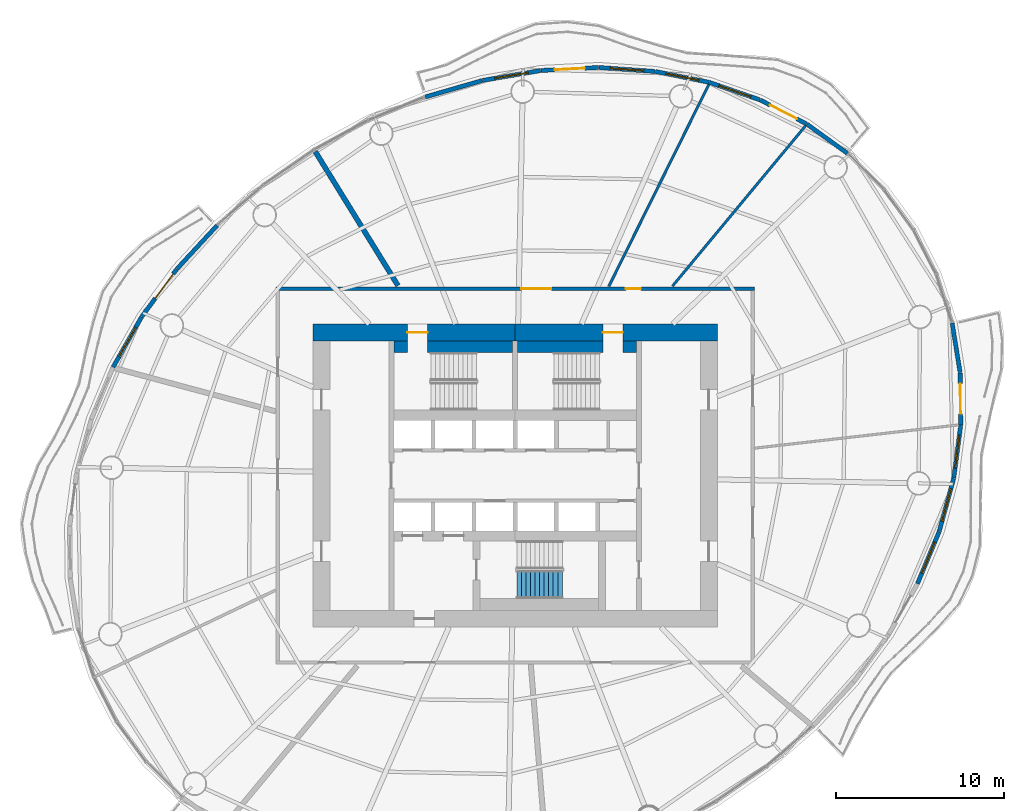
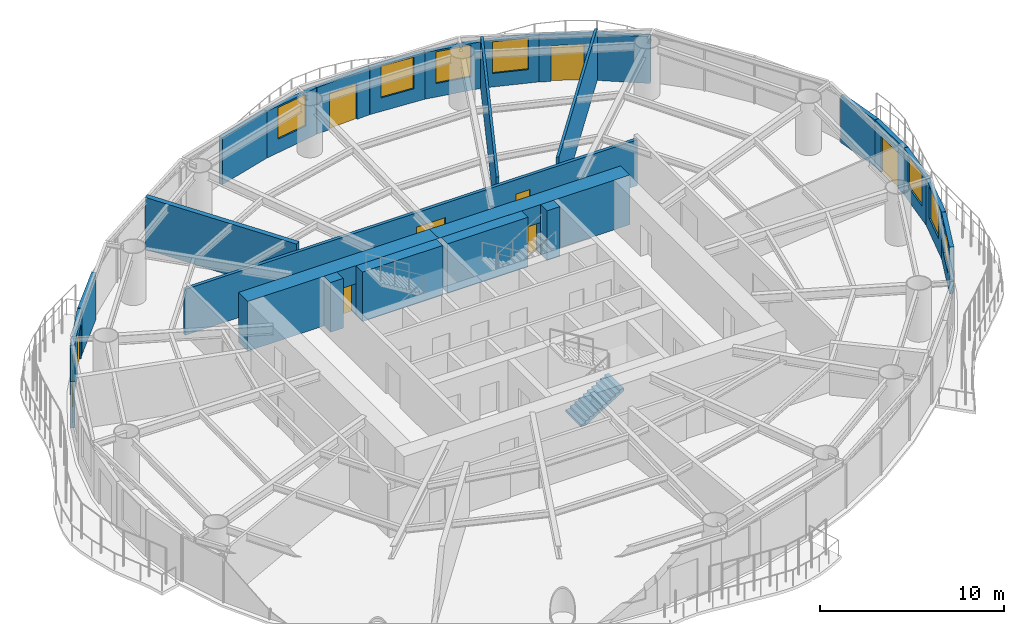
# One storey, part 10 of 15: 26 walls, 8 doors, 8 windows, 1 stair flight, 16 openings, 1 element without a shape of its own.
"""IFC4 building model written with IfcOpenShell, lengths in metres."""

from ifc_helpers import new_model, si_unit, direction, frame, frame_2d, origin, place, context, subcontext, project, spatial, polyline, rectangle, outline, extrude, material, layer, layer_set, type_object, element, fill, aggregate, save


model = new_model("IFC4")

# Units and contexts
model_context = context("Model", 3, precision=1e-05, world=origin(), true_north=direction((0.0, 1.0)))
body_context = subcontext(model_context, "Body", "Model", "MODEL_VIEW")
ifc_project = project(units=[si_unit("LENGTHUNIT", "METRE"), si_unit("AREAUNIT", "SQUARE_METRE"), si_unit("VOLUMEUNIT", "CUBIC_METRE"), si_unit("PLANEANGLEUNIT", "RADIAN"), si_unit("MASSUNIT", "GRAM", prefix="KILO")], contexts=[model_context])

# Site, building, storey
site_placement = place(None, origin())
site = spatial("IfcSite", under=ifc_project, at=site_placement, CompositionType="ELEMENT")
building_placement = place(site_placement, origin())
building = spatial("IfcBuilding", under=site, at=building_placement, Name="Vermilion Reach Broadcast Tower", CompositionType="ELEMENT")
storey_placement = place(building_placement, frame((0.0, 0.0, 161.39990234375)))
storey = spatial("IfcBuildingStorey", under=building, at=storey_placement, Name="L38", CompositionType="ELEMENT", Elevation=161.39990234375)

# Wall, opening, door
ifc_material_1 = material(Name="Concrete C70", Category="concrete")
ifc_layer_1 = layer(ifc_material_1, 1.0)
ifc_layer_set_1 = layer_set([ifc_layer_1], Name="Core outer wall 1000 mm Concrete C70")
wall_type_1 = type_object("IfcWallType", Name="Core outer wall 1000 mm Concrete C70", PredefinedType="SHEAR", material=ifc_layer_set_1)
wall_1_placement = place(storey_placement, frame((6.0, 8.5, 0.0), z_axis=(0.0, 0.0, 1.0), x_axis=(-1.0, 0.0, 0.0)))
wall_1 = element("IfcWall", 1, at=wall_1_placement, inside=storey, type_object=wall_type_1, Name="L38 core wall onE", PredefinedType="SHEAR", context=body_context, shape_type="SweptSolid", body=[
    extrude(rectangle(XDim=12.0, YDim=1.0, at=frame_2d((6.0, 0.0))), origin(), (0.0, 0.0, 1.0), 3.300048828125),
])
opening_1_placement = place(wall_1_placement, frame((5.60009765625, 0.0, 0.0)))
opening_1 = element("IfcOpeningElement", 2, at=opening_1_placement, cuts=wall_1, Name="Opening D01", PredefinedType="OPENING", context=body_context, shape_type="SweptSolid", body=[
    extrude(rectangle(XDim=1.199951171875, YDim=2.10009765625, at=frame_2d((0.60009765625, 1.050048828125))), frame((0.0, 0.510009765625, 0.0), z_axis=(0.0, -1.0, 0.0), x_axis=(1.0, 0.0, 0.0)), (0.0, 0.0, 1.0), 1.02001953125),
])
ifc_material_2 = material(Name="Painted steel fire door", Category="steel")
door_type_1 = type_object("IfcDoorType", Name="Stair door 1200 x 2100", OperationType="DOUBLE_DOOR_SINGLE_SWING", PredefinedType="NOTDEFINED", material=ifc_material_2)
door_1_placement = place(opening_1_placement, origin())
door_1 = element("IfcDoor", 3, at=door_1_placement, inside=storey, type_object=door_type_1, Name="L38 stair door ST2", OperationType="DOUBLE_DOOR_SINGLE_SWING", OverallHeight=2.10009765625, OverallWidth=1.199951171875, PredefinedType="NOTDEFINED", context=body_context, shape_type="SweptSolid", body=[
    extrude(rectangle(XDim=1.199951171875, YDim=2.10009765625, at=frame_2d((0.60009765625, 1.050048828125))), frame((0.0, 0.02490234375, 0.0), z_axis=(0.0, -1.0, 0.0), x_axis=(1.0, 0.0, 0.0)), (0.0, 0.0, 1.0), 0.050048828125),
])
fill(opening_1, door_1)

wall_2_placement = place(storey_placement, frame((-6.0, 8.5, 0.0), z_axis=(0.0, 0.0, 1.0), x_axis=(-1.0, 0.0, 0.0)))
wall_2 = element("IfcWall", 4, at=wall_2_placement, inside=storey, type_object=wall_type_1, Name="L38 core wall onW", PredefinedType="SHEAR", context=body_context, shape_type="SweptSolid", body=[
    extrude(rectangle(XDim=12.0, YDim=1.0, at=frame_2d((6.0, 0.0))), origin(), (0.0, 0.0, 1.0), 3.300048828125),
])
opening_2_placement = place(wall_2_placement, frame((5.199951171875, 0.0, 0.0)))
opening_2 = element("IfcOpeningElement", 5, at=opening_2_placement, cuts=wall_2, Name="Opening D01", PredefinedType="OPENING", context=body_context, shape_type="SweptSolid", body=[
    extrude(rectangle(XDim=1.199951171875, YDim=2.10009765625, at=frame_2d((0.60009765625, 1.050048828125))), frame((0.0, 0.510009765625, 0.0), z_axis=(0.0, -1.0, 0.0), x_axis=(1.0, 0.0, 0.0)), (0.0, 0.0, 1.0), 1.02001953125),
])
door_2_placement = place(opening_2_placement, origin())
door_2 = element("IfcDoor", 6, at=door_2_placement, inside=storey, type_object=door_type_1, Name="L38 stair door ST1", OperationType="DOUBLE_DOOR_SINGLE_SWING", OverallHeight=2.10009765625, OverallWidth=1.199951171875, PredefinedType="NOTDEFINED", context=body_context, shape_type="SweptSolid", body=[
    extrude(rectangle(XDim=1.199951171875, YDim=2.10009765625, at=frame_2d((0.60009765625, 1.050048828125))), frame((0.0, 0.02490234375, 0.0), z_axis=(0.0, -1.0, 0.0), x_axis=(1.0, 0.0, 0.0)), (0.0, 0.0, 1.0), 0.050048828125),
])
fill(opening_2, door_2)

# Walls
ifc_material_3 = material(Name="Concrete C70", Category="concrete")
ifc_layer_2 = layer(ifc_material_3, 0.699951171875)
ifc_layer_set_2 = layer_set([ifc_layer_2], Name="Core stair wall 700 mm Concrete C70")
wall_type_2 = type_object("IfcWallType", Name="Core stair wall 700 mm Concrete C70", PredefinedType="SHEAR", material=ifc_layer_set_2)
wall_3_placement = place(storey_placement, frame((-13.199951171875, 7.64990234375, 0.0), z_axis=(0.0, 0.0, 1.0), x_axis=(1.0, 0.0, 0.0)))
element("IfcWall", 7, at=wall_3_placement, inside=storey, type_object=wall_type_2, Name="L38 core wall l1a", PredefinedType="SHEAR", context=body_context, shape_type="SweptSolid", body=[
    extrude(rectangle(XDim=0.800048828125, YDim=0.699951171875, at=frame_2d((0.39990234375, 0.0))), origin(), (0.0, 0.0, 1.0), 3.300048828125),
])
for number, where, z_axis, x_axis, name in (
    (8, (-11.199951171875, 7.64990234375, 0.0), (0.0, 0.0, 1.0), (1.0, 0.0, 0.0), "L38 core wall l1b"),
    (9, (-5.85009765625, 7.64990234375, 0.0), (0.0, 0.0, 1.0), (1.0, 0.0, 0.0), "L38 core wall l2a"),
):
    element("IfcWall", number, at=place(storey_placement, frame(where, z_axis=z_axis, x_axis=x_axis)), inside=storey, type_object=wall_type_2, Name=name, PredefinedType="SHEAR", context=body_context, shape_type="SweptSolid", body=[
        extrude(rectangle(XDim=5.050048828125, YDim=0.699951171875, at=frame_2d((2.52490234375, 0.0))), origin(), (0.0, 0.0, 1.0), 3.300048828125),
    ])
wall_4_placement = place(storey_placement, frame((0.39990234375, 7.64990234375, 0.0), z_axis=(0.0, 0.0, 1.0), x_axis=(1.0, 0.0, 0.0)))
element("IfcWall", 10, at=wall_4_placement, inside=storey, type_object=wall_type_2, Name="L38 core wall l2b", PredefinedType="SHEAR", context=body_context, shape_type="SweptSolid", body=[
    extrude(rectangle(XDim=0.800048828125, YDim=0.699951171875, at=frame_2d((0.39990234375, 0.0))), origin(), (0.0, 0.0, 1.0), 3.300048828125),
])
ifc_material_4 = material(Name="Lightweight concrete block, plastered", Category="concrete")
ifc_layer_3 = layer(ifc_material_4, 0.14990234375)
ifc_layer_set_3 = layer_set([ifc_layer_3], Name="Partition 150 lightweight block")
wall_type_3 = type_object("IfcWallType", Name="Partition 150 lightweight block", PredefinedType="PARTITIONING", material=ifc_layer_set_3)
wall_5_placement = place(storey_placement, frame((11.244384765625, 20.7724609375, 0.0), z_axis=(0.0, 0.0, 1.0), x_axis=(-0.638730261961, -0.769430732721, 0.0)))
element("IfcWall", 11, at=wall_5_placement, inside=storey, type_object=wall_type_3, Name="Partition 38.01", PredefinedType="PARTITIONING", context=body_context, shape_type="SweptSolid", body=[
    extrude(rectangle(XDim=12.37890625, YDim=0.14990234375, at=frame_2d((6.189453125, 0.0))), origin(), (0.0, 0.0, 1.0), 3.4501953125),
])
wall_6_placement = place(storey_placement, frame((5.499267578125, 23.228515625, 0.0), z_axis=(0.0, 0.0, 1.0), x_axis=(-0.443656871775, -0.896196730705, 0.0)))
element("IfcWall", 12, at=wall_6_placement, inside=storey, type_object=wall_type_3, Name="Partition 38.02", PredefinedType="PARTITIONING", context=body_context, shape_type="SweptSolid", body=[
    extrude(rectangle(XDim=13.384765625, YDim=0.14990234375, at=frame_2d((6.6923828125, 0.0))), origin(), (0.0, 0.0, 1.0), 3.4501953125),
])
ifc_material_5 = material(Name="Double-leaf plasterboard on isolated steel stud", Category="steel")
ifc_layer_4 = layer(ifc_material_5, 0.300048828125)
ifc_layer_set_4 = layer_set([ifc_layer_4], Name="Partition 300 acoustic double leaf")
wall_type_4 = type_object("IfcWallType", Name="Partition 300 acoustic double leaf", PredefinedType="PARTITIONING", material=ifc_layer_set_4)
wall_7_placement = place(storey_placement, frame((-17.87060546875, 19.2353515625, 0.0), z_axis=(0.0, 0.0, 1.0), x_axis=(0.525169292987, -0.850997775381, 0.0)))
element("IfcWall", 13, at=wall_7_placement, inside=storey, type_object=wall_type_4, Name="Partition 38.03", PredefinedType="PARTITIONING", context=body_context, shape_type="SweptSolid", body=[
    extrude(rectangle(XDim=9.349609375, YDim=0.300048828125, at=frame_2d((4.6748046875, 0.0))), origin(), (0.0, 0.0, 1.0), 3.4501953125),
])
ifc_material_6 = material(Name="Terracotta rainscreen cladding", Category="masonry")
ifc_layer_5 = layer(ifc_material_6, 0.25)
ifc_layer_set_5 = layer_set([ifc_layer_5], Name="Terracotta rainscreen wall 250")
wall_type_5 = type_object("IfcWallType", Name="Terracotta rainscreen wall 250", PredefinedType="SOLIDWALL", material=ifc_layer_set_5)
wall_8_placement = place(storey_placement, frame((13.731689453125, 19.130859375, 0.0), z_axis=(0.0, 0.0, 1.0), x_axis=(-0.810861050922, 0.58523871719, 0.0)))
element("IfcWall", 14, at=wall_8_placement, inside=storey, type_object=wall_type_5, Name="External wall L38 02", PredefinedType="SOLIDWALL", context=body_context, shape_type="SweptSolid", body=[
    extrude(rectangle(XDim=2.9736328125, YDim=0.25, at=frame_2d((1.48681640625, 0.0))), origin(), (0.0, 0.0, 1.0), 3.10009765625),
])

# Wall, opening, door
wall_9_placement = place(storey_placement, frame((11.2978515625, 20.885009765625, 0.0), z_axis=(0.0, 0.0, 1.0), x_axis=(-0.88878300735, 0.458328229378, 0.0)))
wall_9 = element("IfcWall", 15, at=wall_9_placement, inside=storey, type_object=wall_type_5, Name="External wall L38 03", PredefinedType="SOLIDWALL", context=body_context, shape_type="SweptSolid", body=[
    extrude(rectangle(XDim=3.083251953125, YDim=0.25, at=frame_2d((1.54150390625, 0.0))), origin(), (0.0, 0.0, 1.0), 3.10009765625),
])
opening_3_placement = place(wall_9_placement, frame((0.64208984375, 0.0, 0.0)))
opening_3 = element("IfcOpeningElement", 16, at=opening_3_placement, cuts=wall_9, Name="Opening D70", PredefinedType="OPENING", context=body_context, shape_type="SweptSolid", body=[
    extrude(rectangle(XDim=1.800048828125, YDim=2.39990234375, at=frame_2d((0.89990234375, 1.199951171875))), frame((0.0, 0.135009765625, 0.0), z_axis=(0.0, -1.0, 0.0), x_axis=(1.0, 0.0, 0.0)), (0.0, 0.0, 1.0), 0.27001953125),
])
ifc_material_7 = material(Name="Low-e laminated clear glass in aluminium frame", Category="aluminium")
door_type_2 = type_object("IfcDoorType", Name="Balcony sliding door 1800 x 2400", OperationType="DOUBLE_DOOR_SLIDING", PredefinedType="DOOR", material=ifc_material_7)
door_3_placement = place(opening_3_placement, origin())
door_3 = element("IfcDoor", 17, at=door_3_placement, inside=storey, type_object=door_type_2, Name="Balcony door L38 run 01", OperationType="DOUBLE_DOOR_SLIDING", OverallHeight=2.39990234375, OverallWidth=1.800048828125, PredefinedType="DOOR", context=body_context, shape_type="SweptSolid", body=[
    extrude(rectangle(XDim=1.800048828125, YDim=2.39990234375, at=frame_2d((0.89990234375, 1.199951171875))), frame((0.0, 0.02490234375, 0.0), z_axis=(0.0, -1.0, 0.0), x_axis=(1.0, 0.0, 0.0)), (0.0, 0.0, 1.0), 0.050048828125),
])
fill(opening_3, door_3)

# Wall, opening, window
wall_10_placement = place(storey_placement, frame((8.533935546875, 22.308349609375, 0.0), z_axis=(0.0, 0.0, 1.0), x_axis=(-0.944803405923, 0.32763779415, 0.0)))
wall_10 = element("IfcWall", 18, at=wall_10_placement, inside=storey, type_object=wall_type_5, Name="External wall L38 04", PredefinedType="SOLIDWALL", context=body_context, shape_type="SweptSolid", body=[
    extrude(rectangle(XDim=3.16455078125, YDim=0.25, at=frame_2d((1.582275390625, 0.0))), origin(), (0.0, 0.0, 1.0), 3.10009765625),
])
opening_4_placement = place(wall_10_placement, frame((0.582275390625, 0.0, 0.89990234375)))
opening_4 = element("IfcOpeningElement", 19, at=opening_4_placement, cuts=wall_10, Name="Opening W03", PredefinedType="OPENING", context=body_context, shape_type="SweptSolid", body=[
    extrude(rectangle(XDim=2.0, YDim=2.10009765625, at=frame_2d((1.0, 1.050048828125))), frame((0.0, 0.135009765625, 0.0), z_axis=(0.0, -1.0, 0.0), x_axis=(1.0, 0.0, 0.0)), (0.0, 0.0, 1.0), 0.27001953125),
])
ifc_material_8 = material(Name="Low-e laminated clear glass in aluminium frame", Category="aluminium")
window_type = type_object("IfcWindowType", Name="Punched window 2000 x 2100 sill 900", PartitioningType="SINGLE_PANEL", PredefinedType="WINDOW", material=ifc_material_8)
window_1_placement = place(opening_4_placement, origin())
window_1 = element("IfcWindow", 20, at=window_1_placement, inside=storey, type_object=window_type, Name="Window L38 04", OverallHeight=2.10009765625, OverallWidth=2.0, PartitioningType="SINGLE_PANEL", PredefinedType="WINDOW", context=body_context, shape_type="SweptSolid", body=[
    extrude(rectangle(XDim=2.0, YDim=2.10009765625, at=frame_2d((1.0, 1.050048828125))), frame((0.0, 0.030029296875, 0.0), z_axis=(0.0, -1.0, 0.0), x_axis=(1.0, 0.0, 0.0)), (0.0, 0.0, 1.0), 0.06005859375),
])
fill(opening_4, window_1)

wall_11_placement = place(storey_placement, frame((5.519775390625, 23.351806640625, 0.0), z_axis=(0.0, 0.0, 1.0), x_axis=(-0.98035778713, 0.19722730342, 0.0)))
wall_11 = element("IfcWall", 21, at=wall_11_placement, inside=storey, type_object=wall_type_5, Name="External wall L38 05", PredefinedType="SOLIDWALL", context=body_context, shape_type="SweptSolid", body=[
    extrude(rectangle(XDim=3.253173828125, YDim=0.25, at=frame_2d((1.62646484375, 0.0))), origin(), (0.0, 0.0, 1.0), 3.10009765625),
])
opening_5_placement = place(wall_11_placement, frame((0.62646484375, 0.0, 0.89990234375)))
opening_5 = element("IfcOpeningElement", 22, at=opening_5_placement, cuts=wall_11, Name="Opening W03", PredefinedType="OPENING", context=body_context, shape_type="SweptSolid", body=[
    extrude(rectangle(XDim=2.0, YDim=2.10009765625, at=frame_2d((1.0, 1.050048828125))), frame((0.0, 0.135009765625, 0.0), z_axis=(0.0, -1.0, 0.0), x_axis=(1.0, 0.0, 0.0)), (0.0, 0.0, 1.0), 0.27001953125),
])
window_2_placement = place(opening_5_placement, origin())
window_2 = element("IfcWindow", 23, at=window_2_placement, inside=storey, type_object=window_type, Name="Window L38 05", OverallHeight=2.10009765625, OverallWidth=2.0, PartitioningType="SINGLE_PANEL", PredefinedType="WINDOW", context=body_context, shape_type="SweptSolid", body=[
    extrude(rectangle(XDim=2.0, YDim=2.10009765625, at=frame_2d((1.0, 1.050048828125))), frame((0.0, 0.030029296875, 0.0), z_axis=(0.0, -1.0, 0.0), x_axis=(1.0, 0.0, 0.0)), (0.0, 0.0, 1.0), 0.06005859375),
])
fill(opening_5, window_2)

wall_12_placement = place(storey_placement, frame((2.306884765625, 23.99658203125, 0.0), z_axis=(0.0, 0.0, 1.0), x_axis=(-0.997538162384, 0.070125705616, 0.0)))
wall_12 = element("IfcWall", 24, at=wall_12_placement, inside=storey, type_object=wall_type_5, Name="External wall L38 06", PredefinedType="SOLIDWALL", context=body_context, shape_type="SweptSolid", body=[
    extrude(rectangle(XDim=3.34228515625, YDim=0.25, at=frame_2d((1.671142578125, 0.0))), origin(), (0.0, 0.0, 1.0), 3.10009765625),
])
opening_6_placement = place(wall_12_placement, frame((0.671142578125, 0.0, 0.89990234375)))
opening_6 = element("IfcOpeningElement", 25, at=opening_6_placement, cuts=wall_12, Name="Opening W03", PredefinedType="OPENING", context=body_context, shape_type="SweptSolid", body=[
    extrude(rectangle(XDim=2.0, YDim=2.10009765625, at=frame_2d((1.0, 1.050048828125))), frame((0.0, 0.135009765625, 0.0), z_axis=(0.0, -1.0, 0.0), x_axis=(1.0, 0.0, 0.0)), (0.0, 0.0, 1.0), 0.27001953125),
])
window_3_placement = place(opening_6_placement, origin())
window_3 = element("IfcWindow", 26, at=window_3_placement, inside=storey, type_object=window_type, Name="Window L38 06", OverallHeight=2.10009765625, OverallWidth=2.0, PartitioningType="SINGLE_PANEL", PredefinedType="WINDOW", context=body_context, shape_type="SweptSolid", body=[
    extrude(rectangle(XDim=2.0, YDim=2.10009765625, at=frame_2d((1.0, 1.050048828125))), frame((0.0, 0.030029296875, 0.0), z_axis=(0.0, -1.0, 0.0), x_axis=(1.0, 0.0, 0.0)), (0.0, 0.0, 1.0), 0.06005859375),
])
fill(opening_6, window_3)

# Wall, opening, door
wall_13_placement = place(storey_placement, frame((-1.05029296875, 24.231201171875, 0.0), z_axis=(0.0, 0.0, 1.0), x_axis=(-0.99864973031, -0.051949168931, 0.0)))
wall_13 = element("IfcWall", 27, at=wall_13_placement, inside=storey, type_object=wall_type_5, Name="External wall L38 07", PredefinedType="SOLIDWALL", context=body_context, shape_type="SweptSolid", body=[
    extrude(rectangle(XDim=3.426025390625, YDim=0.25, at=frame_2d((1.712890625, 0.0))), origin(), (0.0, 0.0, 1.0), 3.10009765625),
])
opening_7_placement = place(wall_13_placement, frame((0.81298828125, 0.0, 0.0)))
opening_7 = element("IfcOpeningElement", 28, at=opening_7_placement, cuts=wall_13, Name="Opening D70", PredefinedType="OPENING", context=body_context, shape_type="SweptSolid", body=[
    extrude(rectangle(XDim=1.800048828125, YDim=2.39990234375, at=frame_2d((0.89990234375, 1.199951171875))), frame((0.0, 0.135009765625, 0.0), z_axis=(0.0, -1.0, 0.0), x_axis=(1.0, 0.0, 0.0)), (0.0, 0.0, 1.0), 0.27001953125),
])
door_4_placement = place(opening_7_placement, origin())
door_4 = element("IfcDoor", 29, at=door_4_placement, inside=storey, type_object=door_type_2, Name="Balcony door L38 run 02", OperationType="DOUBLE_DOOR_SLIDING", OverallHeight=2.39990234375, OverallWidth=1.800048828125, PredefinedType="DOOR", context=body_context, shape_type="SweptSolid", body=[
    extrude(rectangle(XDim=1.800048828125, YDim=2.39990234375, at=frame_2d((0.89990234375, 1.199951171875))), frame((0.0, 0.02490234375, 0.0), z_axis=(0.0, -1.0, 0.0), x_axis=(1.0, 0.0, 0.0)), (0.0, 0.0, 1.0), 0.050048828125),
])
fill(opening_7, door_4)

# Wall, opening, window
wall_14_placement = place(storey_placement, frame((-4.494140625, 24.05078125, 0.0), z_axis=(0.0, 0.0, 1.0), x_axis=(-0.985772258291, -0.168086450327, 0.0)))
wall_14 = element("IfcWall", 30, at=wall_14_placement, inside=storey, type_object=wall_type_5, Name="External wall L38 08", PredefinedType="SOLIDWALL", context=body_context, shape_type="SweptSolid", body=[
    extrude(rectangle(XDim=3.4990234375, YDim=0.25, at=frame_2d((1.74951171875, 0.0))), origin(), (0.0, 0.0, 1.0), 3.10009765625),
])
opening_8_placement = place(wall_14_placement, frame((0.74951171875, 0.0, 0.89990234375)))
opening_8 = element("IfcOpeningElement", 31, at=opening_8_placement, cuts=wall_14, Name="Opening W03", PredefinedType="OPENING", context=body_context, shape_type="SweptSolid", body=[
    extrude(rectangle(XDim=2.0, YDim=2.10009765625, at=frame_2d((1.0, 1.050048828125))), frame((0.0, 0.135009765625, 0.0), z_axis=(0.0, -1.0, 0.0), x_axis=(1.0, 0.0, 0.0)), (0.0, 0.0, 1.0), 0.27001953125),
])
window_4_placement = place(opening_8_placement, origin())
window_4 = element("IfcWindow", 32, at=window_4_placement, inside=storey, type_object=window_type, Name="Window L38 08", OverallHeight=2.10009765625, OverallWidth=2.0, PartitioningType="SINGLE_PANEL", PredefinedType="WINDOW", context=body_context, shape_type="SweptSolid", body=[
    extrude(rectangle(XDim=2.0, YDim=2.10009765625, at=frame_2d((1.0, 1.050048828125))), frame((0.0, 0.030029296875, 0.0), z_axis=(0.0, -1.0, 0.0), x_axis=(1.0, 0.0, 0.0)), (0.0, 0.0, 1.0), 0.06005859375),
])
fill(opening_8, window_4)

# Walls
for number, where, z_axis, x_axis, name in (
    (33, (-7.96484375, 23.457763671875, 0.0), (0.0, 0.0, 1.0), (-0.960600884438, -0.277931539801, 0.0), "External wall L38 09"),
    (34, (-23.7001953125, 14.853515625, 0.0), (0.0, 0.0, 1.0), (-0.679128099516, -0.734019771156, 0.0), "External wall L38 14"),
):
    element("IfcWall", number, at=place(storey_placement, frame(where, z_axis=z_axis, x_axis=x_axis)), inside=storey, type_object=wall_type_5, Name=name, PredefinedType="SOLIDWALL", context=body_context, shape_type="SweptSolid", body=[
        extrude(rectangle(XDim=3.513671875, YDim=0.25, at=frame_2d((1.7568359375, 0.0))), origin(), (0.0, 0.0, 1.0), 3.10009765625),
    ])

# Wall, opening, door
wall_15_placement = place(storey_placement, frame((-26.1005859375, 12.25732421875, 0.0), z_axis=(0.0, 0.0, 1.0), x_axis=(-0.592246582395, -0.805756778216, 0.0)))
wall_15 = element("IfcWall", 35, at=wall_15_placement, inside=storey, type_object=wall_type_5, Name="External wall L38 15", PredefinedType="SOLIDWALL", context=body_context, shape_type="SweptSolid", body=[
    extrude(rectangle(XDim=3.4990234375, YDim=0.25, at=frame_2d((1.74951171875, 0.0))), origin(), (0.0, 0.0, 1.0), 3.10009765625),
])
opening_9_placement = place(wall_15_placement, frame((0.35009765625, 0.0, 0.0)))
opening_9 = element("IfcOpeningElement", 36, at=opening_9_placement, cuts=wall_15, Name="Opening D70", PredefinedType="OPENING", context=body_context, shape_type="SweptSolid", body=[
    extrude(rectangle(XDim=1.800048828125, YDim=2.39990234375, at=frame_2d((0.89990234375, 1.199951171875))), frame((0.0, 0.135009765625, 0.0), z_axis=(0.0, -1.0, 0.0), x_axis=(1.0, 0.0, 0.0)), (0.0, 0.0, 1.0), 0.27001953125),
])
door_5_placement = place(opening_9_placement, origin())
door_5 = element("IfcDoor", 37, at=door_5_placement, inside=storey, type_object=door_type_2, Name="Balcony door L38 run 04", OperationType="DOUBLE_DOOR_SLIDING", OverallHeight=2.39990234375, OverallWidth=1.800048828125, PredefinedType="DOOR", context=body_context, shape_type="SweptSolid", body=[
    extrude(rectangle(XDim=1.800048828125, YDim=2.39990234375, at=frame_2d((0.89990234375, 1.199951171875))), frame((0.0, 0.02490234375, 0.0), z_axis=(0.0, -1.0, 0.0), x_axis=(1.0, 0.0, 0.0)), (0.0, 0.0, 1.0), 0.050048828125),
])
fill(opening_9, door_5)

# Wall, opening, window
wall_16_placement = place(storey_placement, frame((-28.18505859375, 9.4189453125, 0.0), z_axis=(0.0, 0.0, 1.0), x_axis=(-0.494211413801, -0.869341750101, 0.0)))
wall_16 = element("IfcWall", 38, at=wall_16_placement, inside=storey, type_object=wall_type_5, Name="External wall L38 16", PredefinedType="SOLIDWALL", context=body_context, shape_type="SweptSolid", body=[
    extrude(rectangle(XDim=3.42578125, YDim=0.25, at=frame_2d((1.712890625, 0.0))), origin(), (0.0, 0.0, 1.0), 3.10009765625),
])
opening_10_placement = place(wall_16_placement, frame((0.712890625, 0.0, 0.89990234375)))
opening_10 = element("IfcOpeningElement", 39, at=opening_10_placement, cuts=wall_16, Name="Opening W03", PredefinedType="OPENING", context=body_context, shape_type="SweptSolid", body=[
    extrude(rectangle(XDim=2.0, YDim=2.10009765625, at=frame_2d((1.0, 1.050048828125))), frame((0.0, 0.135009765625, 0.0), z_axis=(0.0, -1.0, 0.0), x_axis=(1.0, 0.0, 0.0)), (0.0, 0.0, 1.0), 0.27001953125),
])
window_5_placement = place(opening_10_placement, origin())
window_5 = element("IfcWindow", 40, at=window_5_placement, inside=storey, type_object=window_type, Name="Window L38 16", OverallHeight=2.10009765625, OverallWidth=2.0, PartitioningType="SINGLE_PANEL", PredefinedType="WINDOW", context=body_context, shape_type="SweptSolid", body=[
    extrude(rectangle(XDim=2.0, YDim=2.10009765625, at=frame_2d((1.0, 1.050048828125))), frame((0.0, 0.030029296875, 0.0), z_axis=(0.0, -1.0, 0.0), x_axis=(1.0, 0.0, 0.0)), (0.0, 0.0, 1.0), 0.06005859375),
])
fill(opening_10, window_5)

wall_17_placement = place(storey_placement, frame((17.888427734375, -6.419921875, 0.0), z_axis=(0.0, 0.0, 1.0), x_axis=(0.38458945082, 0.923087728397, 0.0)))
wall_17 = element("IfcWall", 41, at=wall_17_placement, inside=storey, type_object=wall_type_5, Name="External wall L38 41", PredefinedType="SOLIDWALL", context=body_context, shape_type="SweptSolid", body=[
    extrude(rectangle(XDim=3.34228515625, YDim=0.25, at=frame_2d((1.671142578125, 0.0))), origin(), (0.0, 0.0, 1.0), 3.10009765625),
])
opening_11_placement = place(wall_17_placement, frame((0.671142578125, 0.0, 0.89990234375)))
opening_11 = element("IfcOpeningElement", 42, at=opening_11_placement, cuts=wall_17, Name="Opening W03", PredefinedType="OPENING", context=body_context, shape_type="SweptSolid", body=[
    extrude(rectangle(XDim=2.0, YDim=2.10009765625, at=frame_2d((1.0, 1.050048828125))), frame((0.0, 0.135009765625, 0.0), z_axis=(0.0, -1.0, 0.0), x_axis=(1.0, 0.0, 0.0)), (0.0, 0.0, 1.0), 0.27001953125),
])
window_6_placement = place(opening_11_placement, origin())
window_6 = element("IfcWindow", 43, at=window_6_placement, inside=storey, type_object=window_type, Name="Window L38 41", OverallHeight=2.10009765625, OverallWidth=2.0, PartitioningType="SINGLE_PANEL", PredefinedType="WINDOW", context=body_context, shape_type="SweptSolid", body=[
    extrude(rectangle(XDim=2.0, YDim=2.10009765625, at=frame_2d((1.0, 1.050048828125))), frame((0.0, 0.030029296875, 0.0), z_axis=(0.0, -1.0, 0.0), x_axis=(1.0, 0.0, 0.0)), (0.0, 0.0, 1.0), 0.06005859375),
])
fill(opening_11, window_6)

wall_18_placement = place(storey_placement, frame((19.181640625, -3.31201171875, 0.0), z_axis=(0.0, 0.0, 1.0), x_axis=(0.263263454996, 0.964723977759, 0.0)))
wall_18 = element("IfcWall", 44, at=wall_18_placement, inside=storey, type_object=wall_type_5, Name="External wall L38 42", PredefinedType="SOLIDWALL", context=body_context, shape_type="SweptSolid", body=[
    extrude(rectangle(XDim=3.253173828125, YDim=0.25, at=frame_2d((1.62646484375, 0.0))), origin(), (0.0, 0.0, 1.0), 3.10009765625),
])
opening_12_placement = place(wall_18_placement, frame((0.62646484375, 0.0, 0.89990234375)))
opening_12 = element("IfcOpeningElement", 45, at=opening_12_placement, cuts=wall_18, Name="Opening W03", PredefinedType="OPENING", context=body_context, shape_type="SweptSolid", body=[
    extrude(rectangle(XDim=2.0, YDim=2.10009765625, at=frame_2d((1.0, 1.050048828125))), frame((0.0, 0.135009765625, 0.0), z_axis=(0.0, -1.0, 0.0), x_axis=(1.0, 0.0, 0.0)), (0.0, 0.0, 1.0), 0.27001953125),
])
window_7_placement = place(opening_12_placement, origin())
window_7 = element("IfcWindow", 46, at=window_7_placement, inside=storey, type_object=window_type, Name="Window L38 42", OverallHeight=2.10009765625, OverallWidth=2.0, PartitioningType="SINGLE_PANEL", PredefinedType="WINDOW", context=body_context, shape_type="SweptSolid", body=[
    extrude(rectangle(XDim=2.0, YDim=2.10009765625, at=frame_2d((1.0, 1.050048828125))), frame((0.0, 0.030029296875, 0.0), z_axis=(0.0, -1.0, 0.0), x_axis=(1.0, 0.0, 0.0)), (0.0, 0.0, 1.0), 0.06005859375),
])
fill(opening_12, window_7)

wall_19_placement = place(storey_placement, frame((20.04296875, -0.149169921875, 0.0), z_axis=(0.0, 0.0, 1.0), x_axis=(0.13076382866, 0.991413546969, 0.0)))
wall_19 = element("IfcWall", 47, at=wall_19_placement, inside=storey, type_object=wall_type_5, Name="External wall L38 43", PredefinedType="SOLIDWALL", context=body_context, shape_type="SweptSolid", body=[
    extrude(rectangle(XDim=3.16455078125, YDim=0.25, at=frame_2d((1.582275390625, 0.0))), origin(), (0.0, 0.0, 1.0), 3.10009765625),
])
opening_13_placement = place(wall_19_placement, frame((0.582275390625, 0.0, 0.89990234375)))
opening_13 = element("IfcOpeningElement", 48, at=opening_13_placement, cuts=wall_19, Name="Opening W03", PredefinedType="OPENING", context=body_context, shape_type="SweptSolid", body=[
    extrude(rectangle(XDim=2.0, YDim=2.10009765625, at=frame_2d((1.0, 1.050048828125))), frame((0.0, 0.135009765625, 0.0), z_axis=(0.0, -1.0, 0.0), x_axis=(1.0, 0.0, 0.0)), (0.0, 0.0, 1.0), 0.27001953125),
])
window_8_placement = place(opening_13_placement, origin())
window_8 = element("IfcWindow", 49, at=window_8_placement, inside=storey, type_object=window_type, Name="Window L38 43", OverallHeight=2.10009765625, OverallWidth=2.0, PartitioningType="SINGLE_PANEL", PredefinedType="WINDOW", context=body_context, shape_type="SweptSolid", body=[
    extrude(rectangle(XDim=2.0, YDim=2.10009765625, at=frame_2d((1.0, 1.050048828125))), frame((0.0, 0.030029296875, 0.0), z_axis=(0.0, -1.0, 0.0), x_axis=(1.0, 0.0, 0.0)), (0.0, 0.0, 1.0), 0.06005859375),
])
fill(opening_13, window_8)

# Wall, opening, door
wall_20_placement = place(storey_placement, frame((20.458251953125, 3.01416015625, 0.0), z_axis=(0.0, 0.0, 1.0), x_axis=(-0.011086671081, 0.999938540974, 0.0)))
wall_20 = element("IfcWall", 50, at=wall_20_placement, inside=storey, type_object=wall_type_5, Name="External wall L38 44", PredefinedType="SOLIDWALL", context=body_context, shape_type="SweptSolid", body=[
    extrude(rectangle(XDim=3.0830078125, YDim=0.25, at=frame_2d((1.54150390625, 0.0))), origin(), (0.0, 0.0, 1.0), 3.10009765625),
])
opening_14_placement = place(wall_20_placement, frame((0.64208984375, 0.0, 0.0)))
opening_14 = element("IfcOpeningElement", 51, at=opening_14_placement, cuts=wall_20, Name="Opening D70", PredefinedType="OPENING", context=body_context, shape_type="SweptSolid", body=[
    extrude(rectangle(XDim=1.800048828125, YDim=2.39990234375, at=frame_2d((0.89990234375, 1.199951171875))), frame((0.0, 0.135009765625, 0.0), z_axis=(0.0, -1.0, 0.0), x_axis=(1.0, 0.0, 0.0)), (0.0, 0.0, 1.0), 0.27001953125),
])
door_6_placement = place(opening_14_placement, origin())
door_6 = element("IfcDoor", 52, at=door_6_placement, inside=storey, type_object=door_type_2, Name="Balcony door L38 run 11", OperationType="DOUBLE_DOOR_SLIDING", OverallHeight=2.39990234375, OverallWidth=1.800048828125, PredefinedType="DOOR", context=body_context, shape_type="SweptSolid", body=[
    extrude(rectangle(XDim=1.800048828125, YDim=2.39990234375, at=frame_2d((0.89990234375, 1.199951171875))), frame((0.0, 0.02490234375, 0.0), z_axis=(0.0, -1.0, 0.0), x_axis=(1.0, 0.0, 0.0)), (0.0, 0.0, 1.0), 0.050048828125),
])
fill(opening_14, door_6)

# Wall
wall_21_placement = place(storey_placement, frame((20.421630859375, 6.12353515625, 0.0), z_axis=(0.0, 0.0, 1.0), x_axis=(-0.159444104464, 0.987206957812, 0.0)))
element("IfcWall", 53, at=wall_21_placement, inside=storey, type_object=wall_type_5, Name="External wall L38 45", PredefinedType="SOLIDWALL", context=body_context, shape_type="SweptSolid", body=[
    extrude(rectangle(XDim=2.9736328125, YDim=0.25, at=frame_2d((1.48681640625, 0.0))), origin(), (0.0, 0.0, 1.0), 3.10009765625),
])

# Wall, openings, doors
ifc_material_9 = material(Name="Fire-rated gypsum board partition")
ifc_layer_6 = layer(ifc_material_9, 0.199951171875)
ifc_layer_set_6 = layer_set([ifc_layer_6], Name="Under girder: Corridor wall 200 fire-rated")
wall_type_6 = type_object("IfcWallType", Name="Under girder: Corridor wall 200 fire-rated", PredefinedType="PARTITIONING", material=ifc_layer_set_6)
wall_22_placement = place(storey_placement, frame((-20.199951171875, 11.10009765625, 0.0), z_axis=(0.0, 0.0, 1.0), x_axis=(1.0, 0.0, 0.0)))
wall_22 = element("IfcWall", 54, at=wall_22_placement, inside=storey, type_object=wall_type_6, Name="Corridor wall 38.N", PredefinedType="PARTITIONING", context=body_context, shape_type="SweptSolid", body=[
    extrude(rectangle(XDim=28.39990234375, YDim=0.199951171875, at=frame_2d((14.199951171875, 0.0))), origin(), (0.0, 0.0, 1.0), 3.050048828125),
])
opening_15_placement = place(wall_22_placement, frame((20.7705078125, 0.0, 0.0)))
opening_15 = element("IfcOpeningElement", 55, at=opening_15_placement, cuts=wall_22, Name="Opening D22", PredefinedType="OPENING", context=body_context, shape_type="SweptSolid", body=[
    extrude(rectangle(XDim=0.89990234375, YDim=2.10009765625, at=frame_2d((0.449951171875, 1.050048828125))), frame((0.0, 0.10986328125, 0.0), z_axis=(0.0, -1.0, 0.0), x_axis=(1.0, 0.0, 0.0)), (0.0, 0.0, 1.0), 0.219970703125),
])
opening_16_placement = place(wall_22_placement, frame((14.547607421875, 0.0, 0.0)))
opening_16 = element("IfcOpeningElement", 56, at=opening_16_placement, cuts=wall_22, Name="Opening D21", PredefinedType="OPENING", context=body_context, shape_type="SweptSolid", body=[
    extrude(rectangle(XDim=1.800048828125, YDim=2.10009765625, at=frame_2d((0.89990234375, 1.050048828125))), frame((0.0, 0.10986328125, 0.0), z_axis=(0.0, -1.0, 0.0), x_axis=(1.0, 0.0, 0.0)), (0.0, 0.0, 1.0), 0.219970703125),
])
ifc_material_10 = material(Name="Timber door leaf", Category="wood")
door_type_3 = type_object("IfcDoorType", Name="Door pair 1800x2100", OperationType="NOTDEFINED", PredefinedType="DOOR", material=ifc_material_10)
door_7_placement = place(opening_16_placement, origin())
door_7 = element("IfcDoor", 57, at=door_7_placement, inside=storey, type_object=door_type_3, Name="Door 38.02", OperationType="DOUBLE_DOOR_SINGLE_SWING", OverallHeight=2.10009765625, OverallWidth=1.800048828125, PredefinedType="DOOR", context=body_context, shape_type="SweptSolid", body=[
    extrude(rectangle(XDim=1.800048828125, YDim=2.10009765625, at=frame_2d((0.89990234375, 1.050048828125))), frame((0.0, 0.02490234375, 0.0), z_axis=(0.0, -1.0, 0.0), x_axis=(1.0, 0.0, 0.0)), (0.0, 0.0, 1.0), 0.050048828125),
])
fill(opening_16, door_7)
ifc_material_11 = material(Name="Timber door leaf", Category="wood")
door_type_4 = type_object("IfcDoorType", Name="Door single 900x2100", OperationType="NOTDEFINED", PredefinedType="DOOR", material=ifc_material_11)
door_8_placement = place(opening_15_placement, origin())
door_8 = element("IfcDoor", 58, at=door_8_placement, inside=storey, type_object=door_type_4, Name="Door 38.01", OperationType="SINGLE_SWING_LEFT", OverallHeight=2.10009765625, OverallWidth=0.89990234375, PredefinedType="DOOR", context=body_context, shape_type="SweptSolid", body=[
    extrude(rectangle(XDim=0.89990234375, YDim=2.10009765625, at=frame_2d((0.449951171875, 1.050048828125))), frame((0.0, 0.02490234375, 0.0), z_axis=(0.0, -1.0, 0.0), x_axis=(1.0, 0.0, 0.0)), (0.0, 0.0, 1.0), 0.050048828125),
])
fill(opening_15, door_8)

# Stair, stair flight
ifc_material_12 = material(Name="Concrete C40", Category="concrete")
stair_type = type_object("IfcStairType", Name="Exit stair RC 22 risers 164 mm", PredefinedType="HALF_TURN_STAIR", material=ifc_material_12)
stair_placement = place(storey_placement, origin())
stair = element("IfcStair", 59, at=stair_placement, inside=storey, type_object=stair_type, Name="L38 Exit stair ST3", PredefinedType="HALF_TURN_STAIR")
ifc_material_13 = material(Name="Concrete C40", Category="concrete")
stair_flight_type = type_object("IfcStairFlightType", Name="Exit stair flight RC 11 risers", PredefinedType="STRAIGHT", material=ifc_material_13)
stair_flight_placement = place(storey_placement, frame((-5.89990234375, -6.469970703125, 0.0), z_axis=(0.0, 0.0, 1.0), x_axis=(1.0, 0.0, 0.0)))
stair_flight = element("IfcStairFlight", 60, at=stair_flight_placement, type_object=stair_flight_type, Name="ST3 flight 1", NumberOfRisers=11, NumberOfTreads=10, PredefinedType="STRAIGHT", RiserHeight=0.163636364, TreadLength=0.27, context=body_context, shape_type="SweptSolid", body=[
    extrude(outline(polyline([(0.0, 0.0), (0.0, 0.16357421875), (0.27001953125, 0.16357421875), (0.27001953125, 0.327392578125), (0.5400390625, 0.327392578125), (0.5400390625, 0.490966796875), (0.81005859375, 0.490966796875), (0.81005859375, 0.654541015625), (1.080078125, 0.654541015625), (1.080078125, 0.818115234375), (1.35009765625, 0.818115234375), (1.35009765625, 0.98193359375), (1.6201171875, 0.98193359375), (1.6201171875, 1.1455078125), (1.889892578125, 1.1455078125), (1.889892578125, 1.30908203125), (2.159912109375, 1.30908203125), (2.159912109375, 1.47265625), (2.429931640625, 1.47265625), (2.429931640625, 1.636474609375), (2.699951171875, 1.636474609375), (2.699951171875, 1.800048828125), (2.699951171875, 1.461181640625), (0.289306640625, 0.0), (0.0, 0.0)])), frame((0.0, 0.830078125, 0.0), z_axis=(0.0, -1.0, 0.0), x_axis=(1.0, 0.0, 0.0)), (0.0, 0.0, 1.0), 1.659912109375),
])
aggregate(stair, [stair_flight])

save(model, "model.ifc")
